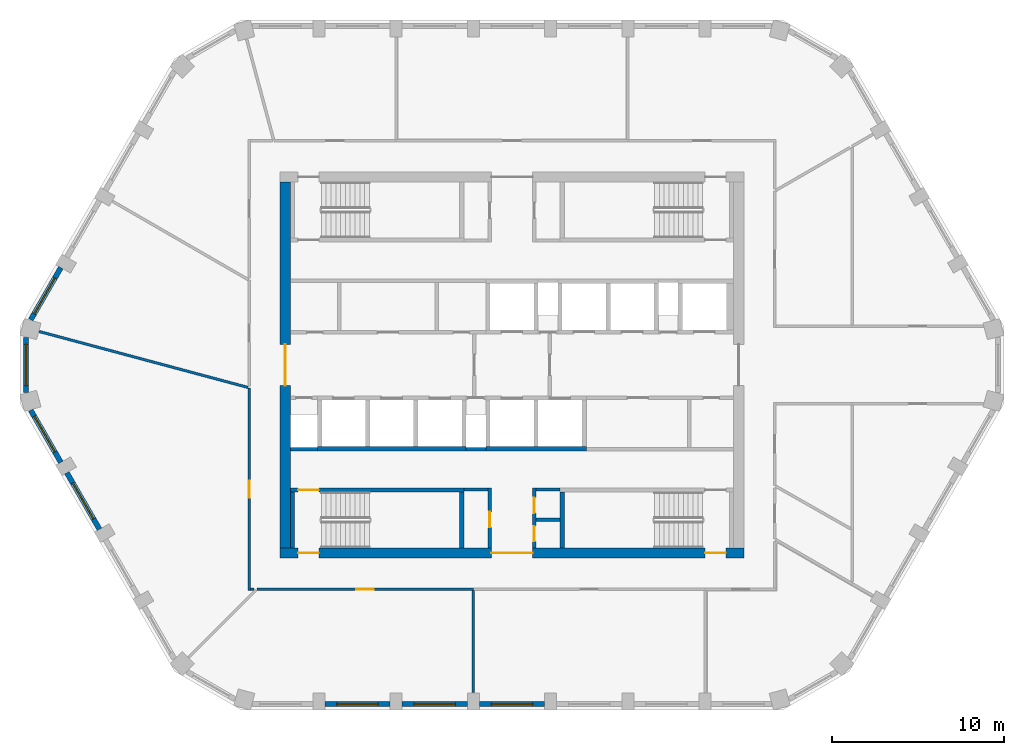
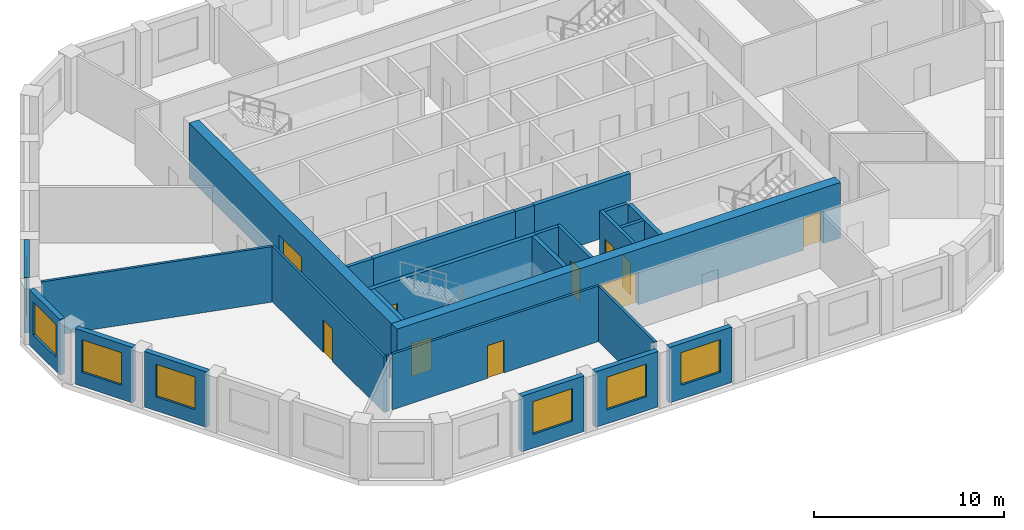
# One storey, part 2 of 10: 27 walls, 10 doors, 7 windows, 17 openings.
"""IFC4 building model written with IfcOpenShell, lengths in metres."""

from ifc_helpers import new_model, si_unit, direction, frame, frame_2d, origin, place, context, subcontext, project, spatial, polyline, rectangle, outline, extrude, material, layer, layer_set, type_object, element, fill, save


model = new_model("IFC4")

# Units and contexts
model_context = context("Model", 3, precision=1e-05, world=origin(), true_north=direction((0.0, 1.0)))
body_context = subcontext(model_context, "Body", "Model", "MODEL_VIEW")
ifc_project = project(units=[si_unit("LENGTHUNIT", "METRE"), si_unit("AREAUNIT", "SQUARE_METRE"), si_unit("VOLUMEUNIT", "CUBIC_METRE"), si_unit("PLANEANGLEUNIT", "RADIAN"), si_unit("MASSUNIT", "GRAM", prefix="KILO")], contexts=[model_context])

# Site, building, storey
site_placement = place(None, origin())
site = spatial("IfcSite", under=ifc_project, at=site_placement, CompositionType="ELEMENT")
building_placement = place(site_placement, origin())
building = spatial("IfcBuilding", under=site, at=building_placement, Name="Dhurran Vertical Campus", CompositionType="ELEMENT")
storey_placement = place(building_placement, frame((0.0, 0.0, 254.699951171875)))
storey = spatial("IfcBuildingStorey", under=building, at=storey_placement, Name="L63", CompositionType="ELEMENT", Elevation=254.699951171875)

# Wall, opening, window
ifc_material_1 = material(Name="Precast concrete C50/60", Category="concrete")
ifc_layer_1 = layer(ifc_material_1, 0.300048828125)
ifc_layer_set_1 = layer_set([ifc_layer_1], Name="Precast concrete C50/60")
wall_type_1 = type_object("IfcWallType", Name="Precast spandrel wall 300", PredefinedType="SOLIDWALL", material=ifc_layer_set_1)
wall_1_placement = place(storey_placement, frame((-10.8994140625, -19.738525390625, 0.0), z_axis=(0.0, 0.0, 1.0), x_axis=(1.0, 0.0, 0.0)))
wall_1 = element("IfcWall", 1, at=wall_1_placement, inside=storey, type_object=wall_type_1, Name="EW1 L63.01", PredefinedType="SOLIDWALL", context=body_context, shape_type="SweptSolid", body=[
    extrude(rectangle(XDim=3.798828125, YDim=0.300048828125, at=frame_2d((1.8994140625, 0.0))), origin(), (0.0, 0.0, 1.0), 3.574951171875),
])
opening_1_placement = place(wall_1_placement, frame((0.699462890625, 0.0, 0.89990234375)))
opening_1 = element("IfcOpeningElement", 2, at=opening_1_placement, cuts=wall_1, Name="Opening WT1", PredefinedType="OPENING", context=body_context, shape_type="SweptSolid", body=[
    extrude(rectangle(XDim=2.39990234375, YDim=2.10009765625, at=frame_2d((1.199951171875, 1.050048828125))), frame((0.0, 0.159912109375, 0.0), z_axis=(0.0, -1.0, 0.0), x_axis=(1.0, 0.0, 0.0)), (0.0, 0.0, 1.0), 0.320068359375),
])
ifc_material_2 = material(Name="Aluminium frame with solar-control glass", Category="aluminium")
window_type = type_object("IfcWindowType", Name="Punched window 2400 x 2100", PartitioningType="SINGLE_PANEL", PredefinedType="WINDOW", material=ifc_material_2)
window_1_placement = place(opening_1_placement, origin())
window_1 = element("IfcWindow", 3, at=window_1_placement, inside=storey, type_object=window_type, Name="WT1 L63.01", OverallHeight=2.10009765625, OverallWidth=2.39990234375, PartitioningType="SINGLE_PANEL", PredefinedType="WINDOW", context=body_context, shape_type="SweptSolid", body=[
    extrude(rectangle(XDim=2.39990234375, YDim=2.10009765625, at=frame_2d((1.199951171875, 1.050048828125))), frame((0.0, 0.030029296875, 0.0), z_axis=(0.0, -1.0, 0.0), x_axis=(1.0, 0.0, 0.0)), (0.0, 0.0, 1.0), 0.06005859375),
])
fill(opening_1, window_1)

wall_2_placement = place(storey_placement, frame((-6.3994140625, -19.738525390625, 0.0), z_axis=(0.0, 0.0, 1.0), x_axis=(1.0, 0.0, 0.0)))
wall_2 = element("IfcWall", 4, at=wall_2_placement, inside=storey, type_object=wall_type_1, Name="EW1 L63.02", PredefinedType="SOLIDWALL", context=body_context, shape_type="SweptSolid", body=[
    extrude(rectangle(XDim=3.798828125, YDim=0.300048828125, at=frame_2d((1.8994140625, 0.0))), origin(), (0.0, 0.0, 1.0), 3.574951171875),
])
opening_2_placement = place(wall_2_placement, frame((0.699462890625, 0.0, 0.89990234375)))
opening_2 = element("IfcOpeningElement", 5, at=opening_2_placement, cuts=wall_2, Name="Opening WT1", PredefinedType="OPENING", context=body_context, shape_type="SweptSolid", body=[
    extrude(rectangle(XDim=2.39990234375, YDim=2.10009765625, at=frame_2d((1.199951171875, 1.050048828125))), frame((0.0, 0.159912109375, 0.0), z_axis=(0.0, -1.0, 0.0), x_axis=(1.0, 0.0, 0.0)), (0.0, 0.0, 1.0), 0.320068359375),
])
window_2_placement = place(opening_2_placement, origin())
window_2 = element("IfcWindow", 6, at=window_2_placement, inside=storey, type_object=window_type, Name="WT1 L63.02", OverallHeight=2.10009765625, OverallWidth=2.39990234375, PartitioningType="SINGLE_PANEL", PredefinedType="WINDOW", context=body_context, shape_type="SweptSolid", body=[
    extrude(rectangle(XDim=2.39990234375, YDim=2.10009765625, at=frame_2d((1.199951171875, 1.050048828125))), frame((0.0, 0.030029296875, 0.0), z_axis=(0.0, -1.0, 0.0), x_axis=(1.0, 0.0, 0.0)), (0.0, 0.0, 1.0), 0.06005859375),
])
fill(opening_2, window_2)

wall_3_placement = place(storey_placement, frame((-1.8994140625, -19.738525390625, 0.0), z_axis=(0.0, 0.0, 1.0), x_axis=(1.0, 0.0, 0.0)))
wall_3 = element("IfcWall", 7, at=wall_3_placement, inside=storey, type_object=wall_type_1, Name="EW1 L63.03", PredefinedType="SOLIDWALL", context=body_context, shape_type="SweptSolid", body=[
    extrude(rectangle(XDim=3.798828125, YDim=0.300048828125, at=frame_2d((1.8994140625, 0.0))), origin(), (0.0, 0.0, 1.0), 3.574951171875),
])
opening_3_placement = place(wall_3_placement, frame((0.699462890625, 0.0, 0.89990234375)))
opening_3 = element("IfcOpeningElement", 8, at=opening_3_placement, cuts=wall_3, Name="Opening WT1", PredefinedType="OPENING", context=body_context, shape_type="SweptSolid", body=[
    extrude(rectangle(XDim=2.39990234375, YDim=2.10009765625, at=frame_2d((1.199951171875, 1.050048828125))), frame((0.0, 0.159912109375, 0.0), z_axis=(0.0, -1.0, 0.0), x_axis=(1.0, 0.0, 0.0)), (0.0, 0.0, 1.0), 0.320068359375),
])
window_3_placement = place(opening_3_placement, origin())
window_3 = element("IfcWindow", 9, at=window_3_placement, inside=storey, type_object=window_type, Name="WT1 L63.03", OverallHeight=2.10009765625, OverallWidth=2.39990234375, PartitioningType="SINGLE_PANEL", PredefinedType="WINDOW", context=body_context, shape_type="SweptSolid", body=[
    extrude(rectangle(XDim=2.39990234375, YDim=2.10009765625, at=frame_2d((1.199951171875, 1.050048828125))), frame((0.0, 0.030029296875, 0.0), z_axis=(0.0, -1.0, 0.0), x_axis=(1.0, 0.0, 0.0)), (0.0, 0.0, 1.0), 0.06005859375),
])
fill(opening_3, window_3)

wall_4_placement = place(storey_placement, frame((-26.269287109375, 5.668701171875, 0.0), z_axis=(0.0, 0.0, 1.0), x_axis=(-0.499990325971, -0.866030989016, 0.0)))
wall_4 = element("IfcWall", 10, at=wall_4_placement, inside=storey, type_object=wall_type_1, Name="EW1 L63.29", PredefinedType="SOLIDWALL", context=body_context, shape_type="SweptSolid", body=[
    extrude(rectangle(XDim=3.49755859375, YDim=0.300048828125, at=frame_2d((1.748779296875, 0.0))), origin(), (0.0, 0.0, 1.0), 3.574951171875),
])
opening_4_placement = place(wall_4_placement, frame((0.699462890625, 0.0, 0.89990234375)))
opening_4 = element("IfcOpeningElement", 11, at=opening_4_placement, cuts=wall_4, Name="Opening WT1", PredefinedType="OPENING", context=body_context, shape_type="SweptSolid", body=[
    extrude(rectangle(XDim=2.39990234375, YDim=2.10009765625, at=frame_2d((1.199951171875, 1.050048828125))), frame((0.0, 0.159912109375, 0.0), z_axis=(0.0, -1.0, 0.0), x_axis=(1.0, 0.0, 0.0)), (0.0, 0.0, 1.0), 0.320068359375),
])
window_4_placement = place(opening_4_placement, origin())
window_4 = element("IfcWindow", 12, at=window_4_placement, inside=storey, type_object=window_type, Name="WT1 L63.29", OverallHeight=2.10009765625, OverallWidth=2.39990234375, PartitioningType="SINGLE_PANEL", PredefinedType="WINDOW", context=body_context, shape_type="SweptSolid", body=[
    extrude(rectangle(XDim=2.39990234375, YDim=2.10009765625, at=frame_2d((1.199951171875, 1.050048828125))), frame((0.0, 0.030029296875, 0.0), z_axis=(0.0, -1.0, 0.0), x_axis=(1.0, 0.0, 0.0)), (0.0, 0.0, 1.0), 0.06005859375),
])
fill(opening_4, window_4)

wall_5_placement = place(storey_placement, frame((-28.297119140625, 1.59814453125, 0.0), z_axis=(0.0, 0.0, 1.0), x_axis=(0.0, -1.0, 0.0)))
wall_5 = element("IfcWall", 13, at=wall_5_placement, inside=storey, type_object=wall_type_1, Name="EW1 L63.30", PredefinedType="SOLIDWALL", context=body_context, shape_type="SweptSolid", body=[
    extrude(rectangle(XDim=3.1962890625, YDim=0.300048828125, at=frame_2d((1.59814453125, 0.0))), origin(), (0.0, 0.0, 1.0), 3.574951171875),
])
opening_5_placement = place(wall_5_placement, frame((0.398193359375, 0.0, 0.89990234375)))
opening_5 = element("IfcOpeningElement", 14, at=opening_5_placement, cuts=wall_5, Name="Opening WT1", PredefinedType="OPENING", context=body_context, shape_type="SweptSolid", body=[
    extrude(rectangle(XDim=2.39990234375, YDim=2.10009765625, at=frame_2d((1.199951171875, 1.050048828125))), frame((0.0, 0.159912109375, 0.0), z_axis=(0.0, -1.0, 0.0), x_axis=(1.0, 0.0, 0.0)), (0.0, 0.0, 1.0), 0.320068359375),
])
window_5_placement = place(opening_5_placement, origin())
window_5 = element("IfcWindow", 15, at=window_5_placement, inside=storey, type_object=window_type, Name="WT1 L63.30", OverallHeight=2.10009765625, OverallWidth=2.39990234375, PartitioningType="SINGLE_PANEL", PredefinedType="WINDOW", context=body_context, shape_type="SweptSolid", body=[
    extrude(rectangle(XDim=2.39990234375, YDim=2.10009765625, at=frame_2d((1.199951171875, 1.050048828125))), frame((0.0, 0.030029296875, 0.0), z_axis=(0.0, -1.0, 0.0), x_axis=(1.0, 0.0, 0.0)), (0.0, 0.0, 1.0), 0.06005859375),
])
fill(opening_5, window_5)

wall_6_placement = place(storey_placement, frame((-28.01806640625, -2.6396484375, 0.0), z_axis=(0.0, 0.0, 1.0), x_axis=(0.499990325971, -0.866030989016, 0.0)))
wall_6 = element("IfcWall", 16, at=wall_6_placement, inside=storey, type_object=wall_type_1, Name="EW1 L63.31", PredefinedType="SOLIDWALL", context=body_context, shape_type="SweptSolid", body=[
    extrude(rectangle(XDim=3.49755859375, YDim=0.300048828125, at=frame_2d((1.748779296875, 0.0))), origin(), (0.0, 0.0, 1.0), 3.574951171875),
])
opening_6_placement = place(wall_6_placement, frame((0.398193359375, 0.0, 0.89990234375)))
opening_6 = element("IfcOpeningElement", 17, at=opening_6_placement, cuts=wall_6, Name="Opening WT1", PredefinedType="OPENING", context=body_context, shape_type="SweptSolid", body=[
    extrude(rectangle(XDim=2.39990234375, YDim=2.10009765625, at=frame_2d((1.199951171875, 1.050048828125))), frame((0.0, 0.159912109375, 0.0), z_axis=(0.0, -1.0, 0.0), x_axis=(1.0, 0.0, 0.0)), (0.0, 0.0, 1.0), 0.320068359375),
])
window_6_placement = place(opening_6_placement, origin())
window_6 = element("IfcWindow", 18, at=window_6_placement, inside=storey, type_object=window_type, Name="WT1 L63.31", OverallHeight=2.10009765625, OverallWidth=2.39990234375, PartitioningType="SINGLE_PANEL", PredefinedType="WINDOW", context=body_context, shape_type="SweptSolid", body=[
    extrude(rectangle(XDim=2.39990234375, YDim=2.10009765625, at=frame_2d((1.199951171875, 1.050048828125))), frame((0.0, 0.030029296875, 0.0), z_axis=(0.0, -1.0, 0.0), x_axis=(1.0, 0.0, 0.0)), (0.0, 0.0, 1.0), 0.06005859375),
])
fill(opening_6, window_6)

wall_7_placement = place(storey_placement, frame((-25.918701171875, -6.275634765625, 0.0), z_axis=(0.0, 0.0, 1.0), x_axis=(0.499982058975, -0.866035761792, 0.0)))
wall_7 = element("IfcWall", 19, at=wall_7_placement, inside=storey, type_object=wall_type_1, Name="EW1 L63.32", PredefinedType="SOLIDWALL", context=body_context, shape_type="SweptSolid", body=[
    extrude(rectangle(XDim=3.799072265625, YDim=0.300048828125, at=frame_2d((1.8994140625, 0.0))), origin(), (0.0, 0.0, 1.0), 3.574951171875),
])
opening_7_placement = place(wall_7_placement, frame((0.699462890625, 0.0, 0.89990234375)))
opening_7 = element("IfcOpeningElement", 20, at=opening_7_placement, cuts=wall_7, Name="Opening WT1", PredefinedType="OPENING", context=body_context, shape_type="SweptSolid", body=[
    extrude(rectangle(XDim=2.39990234375, YDim=2.10009765625, at=frame_2d((1.199951171875, 1.050048828125))), frame((0.0, 0.159912109375, 0.0), z_axis=(0.0, -1.0, 0.0), x_axis=(1.0, 0.0, 0.0)), (0.0, 0.0, 1.0), 0.320068359375),
])
window_7_placement = place(opening_7_placement, origin())
window_7 = element("IfcWindow", 21, at=window_7_placement, inside=storey, type_object=window_type, Name="WT1 L63.32", OverallHeight=2.10009765625, OverallWidth=2.39990234375, PartitioningType="SINGLE_PANEL", PredefinedType="WINDOW", context=body_context, shape_type="SweptSolid", body=[
    extrude(rectangle(XDim=2.39990234375, YDim=2.10009765625, at=frame_2d((1.199951171875, 1.050048828125))), frame((0.0, 0.030029296875, 0.0), z_axis=(0.0, -1.0, 0.0), x_axis=(1.0, 0.0, 0.0)), (0.0, 0.0, 1.0), 0.06005859375),
])
fill(opening_7, window_7)

# Wall, openings, doors
ifc_material_3 = material(Name="Concrete C50/60", Category="concrete")
ifc_layer_2 = layer(ifc_material_3, 0.60009765625)
ifc_layer_set_2 = layer_set([ifc_layer_2], Name="Concrete C50/60")
wall_type_2 = type_object("IfcWallType", Name="co-CORE-WALL-C2-600", PredefinedType="SHEAR", material=ifc_layer_set_2)
wall_8_placement = place(storey_placement, frame((-13.5, -10.949951171875, 0.0), z_axis=(0.0, 0.0, 1.0), x_axis=(1.0, 0.0, 0.0)))
wall_8 = element("IfcWall", 22, at=wall_8_placement, inside=storey, type_object=wall_type_2, Name="Core wall S L63", PredefinedType="SHEAR", context=body_context, shape_type="SweptSolid", body=[
    extrude(rectangle(XDim=27.0, YDim=0.60009765625, at=frame_2d((13.5, 0.0))), origin(), (0.0, 0.0, 1.0), 3.574951171875),
])
opening_8_placement = place(wall_8_placement, frame((12.300048828125, 0.0, 0.0)))
opening_8 = element("IfcOpeningElement", 23, at=opening_8_placement, cuts=wall_8, Name="Opening CV2", PredefinedType="OPENING", context=body_context, shape_type="SweptSolid", body=[
    extrude(rectangle(XDim=2.39990234375, YDim=2.10009765625, at=frame_2d((1.199951171875, 1.050048828125))), frame((0.0, 0.31005859375, 0.0), z_axis=(0.0, -1.0, 0.0), x_axis=(1.0, 0.0, 0.0)), (0.0, 0.0, 1.0), 0.6201171875),
])
opening_9_placement = place(wall_8_placement, frame((1.050048828125, 0.0, 0.0)))
opening_9 = element("IfcOpeningElement", 24, at=opening_9_placement, cuts=wall_8, Name="Opening XD3", PredefinedType="OPENING", context=body_context, shape_type="SweptSolid", body=[
    extrude(rectangle(XDim=1.199951171875, YDim=2.10009765625, at=frame_2d((0.60009765625, 1.050048828125))), frame((0.0, 0.31005859375, 0.0), z_axis=(0.0, -1.0, 0.0), x_axis=(1.0, 0.0, 0.0)), (0.0, 0.0, 1.0), 0.6201171875),
])
opening_10_placement = place(wall_8_placement, frame((24.75, 0.0, 0.0)))
opening_10 = element("IfcOpeningElement", 25, at=opening_10_placement, cuts=wall_8, Name="Opening XD4", PredefinedType="OPENING", context=body_context, shape_type="SweptSolid", body=[
    extrude(rectangle(XDim=1.199951171875, YDim=2.10009765625, at=frame_2d((0.60009765625, 1.050048828125))), frame((0.0, 0.31005859375, 0.0), z_axis=(0.0, -1.0, 0.0), x_axis=(1.0, 0.0, 0.0)), (0.0, 0.0, 1.0), 0.6201171875),
])
ifc_material_4 = material(Name="Fire-rated glazed door set")
door_type_1 = type_object("IfcDoorType", Name="co-D-LOBBY 2400x2100", OperationType="DOUBLE_DOOR_DOUBLE_SWING", PredefinedType="DOOR", material=ifc_material_4)
door_1_placement = place(opening_8_placement, origin())
door_1 = element("IfcDoor", 26, at=door_1_placement, inside=storey, type_object=door_type_1, Name="Core vestibule door S L63", OperationType="DOUBLE_DOOR_DOUBLE_SWING", OverallHeight=2.10009765625, OverallWidth=2.39990234375, PredefinedType="DOOR", context=body_context, shape_type="SweptSolid", body=[
    extrude(rectangle(XDim=2.39990234375, YDim=2.10009765625, at=frame_2d((1.199951171875, 1.050048828125))), frame((0.0, 0.02490234375, 0.0), z_axis=(0.0, -1.0, 0.0), x_axis=(1.0, 0.0, 0.0)), (0.0, 0.0, 1.0), 0.050048828125),
])
fill(opening_8, door_1)
ifc_material_5 = material(Name="Fire-rated steel door set", Category="steel")
door_type_2 = type_object("IfcDoorType", Name="co-D-STAIR-EXIT 1200x2100", OperationType="SINGLE_SWING_RIGHT", PredefinedType="DOOR", material=ifc_material_5)
door_2_placement = place(opening_9_placement, origin())
door_2 = element("IfcDoor", 27, at=door_2_placement, inside=storey, type_object=door_type_2, Name="Stair ST3 exit door L63", OperationType="SINGLE_SWING_RIGHT", OverallHeight=2.10009765625, OverallWidth=1.199951171875, PredefinedType="DOOR", context=body_context, shape_type="SweptSolid", body=[
    extrude(rectangle(XDim=1.199951171875, YDim=2.10009765625, at=frame_2d((0.60009765625, 1.050048828125))), frame((0.0, 0.02490234375, 0.0), z_axis=(0.0, -1.0, 0.0), x_axis=(1.0, 0.0, 0.0)), (0.0, 0.0, 1.0), 0.050048828125),
])
fill(opening_9, door_2)
door_3_placement = place(opening_10_placement, origin())
door_3 = element("IfcDoor", 28, at=door_3_placement, inside=storey, type_object=door_type_2, Name="Stair ST4 exit door L63", OperationType="SINGLE_SWING_RIGHT", OverallHeight=2.10009765625, OverallWidth=1.199951171875, PredefinedType="DOOR", context=body_context, shape_type="SweptSolid", body=[
    extrude(rectangle(XDim=1.199951171875, YDim=2.10009765625, at=frame_2d((0.60009765625, 1.050048828125))), frame((0.0, 0.02490234375, 0.0), z_axis=(0.0, -1.0, 0.0), x_axis=(1.0, 0.0, 0.0)), (0.0, 0.0, 1.0), 0.050048828125),
])
fill(opening_10, door_3)

# Wall, opening, door
wall_9_placement = place(storey_placement, frame((-13.199951171875, -10.64990234375, 0.0), z_axis=(0.0, 0.0, 1.0), x_axis=(0.0, 1.0, 0.0)))
wall_9 = element("IfcWall", 29, at=wall_9_placement, inside=storey, type_object=wall_type_2, Name="Core wall W L63", PredefinedType="SHEAR", context=body_context, shape_type="SweptSolid", body=[
    extrude(rectangle(XDim=21.2998046875, YDim=0.60009765625, at=frame_2d((10.64990234375, 0.0))), origin(), (0.0, 0.0, 1.0), 3.574951171875),
])
opening_11_placement = place(wall_9_placement, frame((9.449951171875, 0.0, 0.0)))
opening_11 = element("IfcOpeningElement", 30, at=opening_11_placement, cuts=wall_9, Name="Opening CL1", PredefinedType="OPENING", context=body_context, shape_type="SweptSolid", body=[
    extrude(rectangle(XDim=2.39990234375, YDim=2.10009765625, at=frame_2d((1.199951171875, 1.050048828125))), frame((0.0, 0.31005859375, 0.0), z_axis=(0.0, -1.0, 0.0), x_axis=(1.0, 0.0, 0.0)), (0.0, 0.0, 1.0), 0.6201171875),
])
door_4_placement = place(opening_11_placement, origin())
door_4 = element("IfcDoor", 31, at=door_4_placement, inside=storey, type_object=door_type_1, Name="Lift lobby door W L63", OperationType="DOUBLE_DOOR_DOUBLE_SWING", OverallHeight=2.10009765625, OverallWidth=2.39990234375, PredefinedType="DOOR", context=body_context, shape_type="SweptSolid", body=[
    extrude(rectangle(XDim=2.39990234375, YDim=2.10009765625, at=frame_2d((1.199951171875, 1.050048828125))), frame((0.0, 0.02490234375, 0.0), z_axis=(0.0, -1.0, 0.0), x_axis=(1.0, 0.0, 0.0)), (0.0, 0.0, 1.0), 0.050048828125),
])
fill(opening_11, door_4)

# Walls
ifc_material_6 = material(Name="Fire-rated masonry blockwork", Category="masonry")
ifc_layer_3 = layer(ifc_material_6, 0.199951171875)
ifc_layer_set_3 = layer_set([ifc_layer_3], Name="Fire-rated masonry blockwork")
wall_type_3 = type_object("IfcWallType", Name="co-FIRE-PARTITION-200", PredefinedType="PARTITIONING", material=ifc_layer_set_3)
for number, where, z_axis, x_axis, name in (
    (32, (-2.800048828125, -7.25, 0.0), (0.0, 0.0, 1.0), (1.0, 0.0, 0.0), "Core partition sl-SW-S L63"),
    (33, (1.39990234375, -7.25, 0.0), (0.0, 0.0, 1.0), (1.0, 0.0, 0.0), "Core partition sl-SE-S L63"),
    (34, (1.39990234375, -9.0, 0.0), (0.0, 0.0, 1.0), (1.0, 0.0, 0.0), "Core partition sl-SE-cut0 L63"),
):
    element("IfcWall", number, at=place(storey_placement, frame(where, z_axis=z_axis, x_axis=x_axis)), inside=storey, type_object=wall_type_3, Name=name, PredefinedType="PARTITIONING", context=body_context, shape_type="SweptSolid", body=[
        extrude(rectangle(XDim=1.400146484375, YDim=0.199951171875, at=frame_2d((0.7001953125, 0.0))), origin(), (0.0, 0.0, 1.0), 3.574951171875),
    ])

# Wall, opening, door
wall_10_placement = place(storey_placement, frame((-1.300048828125, -10.64990234375, 0.0), z_axis=(0.0, 0.0, 1.0), x_axis=(0.0, 1.0, 0.0)))
wall_10 = element("IfcWall", 35, at=wall_10_placement, inside=storey, type_object=wall_type_3, Name="Core partition vest-SW L63", PredefinedType="PARTITIONING", context=body_context, shape_type="SweptSolid", body=[
    extrude(rectangle(XDim=3.5, YDim=0.199951171875, at=frame_2d((1.75, 0.0))), origin(), (0.0, 0.0, 1.0), 3.574951171875),
])
opening_12_placement = place(wall_10_placement, frame((1.199951171875, 0.0, 0.0)))
opening_12 = element("IfcOpeningElement", 36, at=opening_12_placement, cuts=wall_10, Name="Opening T18-C1", PredefinedType="OPENING", context=body_context, shape_type="SweptSolid", body=[
    extrude(rectangle(XDim=0.89990234375, YDim=2.10009765625, at=frame_2d((0.449951171875, 1.050048828125))), frame((0.0, 0.10986328125, 0.0), z_axis=(0.0, -1.0, 0.0), x_axis=(1.0, 0.0, 0.0)), (0.0, 0.0, 1.0), 0.219970703125),
])
ifc_material_7 = material(Name="Fire-rated timber door set", Category="wood")
door_type_3 = type_object("IfcDoorType", Name="co-D-ROOM 900x2100", OperationType="SINGLE_SWING_LEFT", PredefinedType="DOOR", material=ifc_material_7)
door_5_placement = place(opening_12_placement, origin())
door_5 = element("IfcDoor", 37, at=door_5_placement, inside=storey, type_object=door_type_3, Name="Fire equipment store door L63", OperationType="SINGLE_SWING_LEFT", OverallHeight=2.10009765625, OverallWidth=0.89990234375, PredefinedType="DOOR", context=body_context, shape_type="SweptSolid", body=[
    extrude(rectangle(XDim=0.89990234375, YDim=2.10009765625, at=frame_2d((0.449951171875, 1.050048828125))), frame((0.0, 0.02490234375, 0.0), z_axis=(0.0, -1.0, 0.0), x_axis=(1.0, 0.0, 0.0)), (0.0, 0.0, 1.0), 0.050048828125),
])
fill(opening_12, door_5)

# Wall, openings, doors
wall_11_placement = place(storey_placement, frame((1.300048828125, -10.64990234375, 0.0), z_axis=(0.0, 0.0, 1.0), x_axis=(0.0, 1.0, 0.0)))
wall_11 = element("IfcWall", 38, at=wall_11_placement, inside=storey, type_object=wall_type_3, Name="Core partition vest-SE L63", PredefinedType="PARTITIONING", context=body_context, shape_type="SweptSolid", body=[
    extrude(rectangle(XDim=3.5, YDim=0.199951171875, at=frame_2d((1.75, 0.0))), origin(), (0.0, 0.0, 1.0), 3.574951171875),
])
opening_13_placement = place(wall_11_placement, frame((0.375, 0.0, 0.0)))
opening_13 = element("IfcOpeningElement", 39, at=opening_13_placement, cuts=wall_11, Name="Opening T18-C2", PredefinedType="OPENING", context=body_context, shape_type="SweptSolid", body=[
    extrude(rectangle(XDim=0.89990234375, YDim=2.10009765625, at=frame_2d((0.449951171875, 1.050048828125))), frame((0.0, 0.10986328125, 0.0), z_axis=(0.0, -1.0, 0.0), x_axis=(1.0, 0.0, 0.0)), (0.0, 0.0, 1.0), 0.219970703125),
])
opening_14_placement = place(wall_11_placement, frame((2.02490234375, 0.0, 0.0)))
opening_14 = element("IfcOpeningElement", 40, at=opening_14_placement, cuts=wall_11, Name="Opening T18-C3", PredefinedType="OPENING", context=body_context, shape_type="SweptSolid", body=[
    extrude(rectangle(XDim=0.89990234375, YDim=2.10009765625, at=frame_2d((0.449951171875, 1.050048828125))), frame((0.0, 0.10986328125, 0.0), z_axis=(0.0, -1.0, 0.0), x_axis=(1.0, 0.0, 0.0)), (0.0, 0.0, 1.0), 0.219970703125),
])
door_6_placement = place(opening_13_placement, origin())
door_6 = element("IfcDoor", 41, at=door_6_placement, inside=storey, type_object=door_type_3, Name="Waste room door L63", OperationType="SINGLE_SWING_LEFT", OverallHeight=2.10009765625, OverallWidth=0.89990234375, PredefinedType="DOOR", context=body_context, shape_type="SweptSolid", body=[
    extrude(rectangle(XDim=0.89990234375, YDim=2.10009765625, at=frame_2d((0.449951171875, 1.050048828125))), frame((0.0, 0.02490234375, 0.0), z_axis=(0.0, -1.0, 0.0), x_axis=(1.0, 0.0, 0.0)), (0.0, 0.0, 1.0), 0.050048828125),
])
fill(opening_13, door_6)
door_7_placement = place(opening_14_placement, origin())
door_7 = element("IfcDoor", 42, at=door_7_placement, inside=storey, type_object=door_type_3, Name="Store door L63", OperationType="SINGLE_SWING_LEFT", OverallHeight=2.10009765625, OverallWidth=0.89990234375, PredefinedType="DOOR", context=body_context, shape_type="SweptSolid", body=[
    extrude(rectangle(XDim=0.89990234375, YDim=2.10009765625, at=frame_2d((0.449951171875, 1.050048828125))), frame((0.0, 0.02490234375, 0.0), z_axis=(0.0, -1.0, 0.0), x_axis=(1.0, 0.0, 0.0)), (0.0, 0.0, 1.0), 0.050048828125),
])
fill(opening_14, door_7)

# Walls
wall_12_placement = place(storey_placement, frame((-12.89990234375, -4.89990234375, 0.0), z_axis=(0.0, 0.0, 1.0), x_axis=(1.0, 0.0, 0.0)))
element("IfcWall", 43, at=wall_12_placement, inside=storey, type_object=wall_type_3, Name="Core partition fr-S0-b L63", PredefinedType="PARTITIONING", context=body_context, shape_type="SweptSolid", body=[
    extrude(rectangle(XDim=1.574951171875, YDim=0.199951171875, at=frame_2d((0.78759765625, 0.0))), origin(), (0.0, 0.0, 1.0), 3.574951171875),
])
wall_13_placement = place(storey_placement, frame((-2.675048828125, -4.89990234375, 0.0), z_axis=(0.0, 0.0, 1.0), x_axis=(1.0, 0.0, 0.0)))
element("IfcWall", 44, at=wall_13_placement, inside=storey, type_object=wall_type_3, Name="Core partition fr-S1-b L63", PredefinedType="PARTITIONING", context=body_context, shape_type="SweptSolid", body=[
    extrude(rectangle(XDim=1.150146484375, YDim=0.199951171875, at=frame_2d((0.5751953125, 0.0))), origin(), (0.0, 0.0, 1.0), 3.574951171875),
])
ifc_material_8 = material(Name="Concrete C50/60", Category="concrete")
ifc_layer_4 = layer(ifc_material_8, 0.25)
ifc_layer_set_4 = layer_set([ifc_layer_4], Name="Concrete C50/60")
wall_type_4 = type_object("IfcWallType", Name="co-SHAFT-MASS-250", PredefinedType="SHEAR", material=ifc_layer_set_4)
wall_14_placement = place(storey_placement, origin())
element("IfcWall", 45, at=wall_14_placement, inside=storey, type_object=wall_type_4, Name="Lift shaft wall S L63 1", PredefinedType="SHEAR", context=body_context, shape_type="SweptSolid", body=[
    extrude(outline(polyline([(-11.324951171875, -5.0), (-2.675048828125, -5.0), (-2.675048828125, -4.75), (-11.324951171875, -4.75), (-11.324951171875, -5.0)])), origin(), (0.0, 0.0, 1.0), 3.574951171875),
])
wall_15_placement = place(storey_placement, origin())
element("IfcWall", 46, at=wall_15_placement, inside=storey, type_object=wall_type_4, Name="Lift shaft wall S L63 2", PredefinedType="SHEAR", context=body_context, shape_type="SweptSolid", body=[
    extrude(outline(polyline([(-1.52490234375, -5.0), (4.324951171875, -5.0), (4.324951171875, -4.75), (-1.52490234375, -4.75), (-1.52490234375, -5.0)])), origin(), (0.0, 0.0, 1.0), 3.574951171875),
])

# Wall, opening, door
ifc_material_9 = material(Name="Concrete C40/50", Category="concrete")
ifc_layer_5 = layer(ifc_material_9, 0.25)
ifc_layer_set_5 = layer_set([ifc_layer_5], Name="Concrete C40/50")
wall_type_5 = type_object("IfcWallType", Name="co-STAIR-WALL-250", PredefinedType="SHEAR", material=ifc_layer_set_5)
wall_16_placement = place(storey_placement, frame((-12.89990234375, -7.27490234375, 0.0), z_axis=(0.0, 0.0, 1.0), x_axis=(1.0, 0.0, 0.0)))
wall_16 = element("IfcWall", 47, at=wall_16_placement, inside=storey, type_object=wall_type_5, Name="Stair ST3 enclosure wall L63", PredefinedType="SHEAR", context=body_context, shape_type="SweptSolid", body=[
    extrude(rectangle(XDim=10.099853515625, YDim=0.25, at=frame_2d((5.0498046875, 0.0))), origin(), (0.0, 0.0, 1.0), 3.574951171875),
])
opening_15_placement = place(wall_16_placement, frame((0.449951171875, 0.0, 0.0)))
opening_15 = element("IfcOpeningElement", 48, at=opening_15_placement, cuts=wall_16, Name="Opening SD3", PredefinedType="OPENING", context=body_context, shape_type="SweptSolid", body=[
    extrude(rectangle(XDim=1.199951171875, YDim=2.10009765625, at=frame_2d((0.60009765625, 1.050048828125))), frame((0.0, 0.135009765625, 0.0), z_axis=(0.0, -1.0, 0.0), x_axis=(1.0, 0.0, 0.0)), (0.0, 0.0, 1.0), 0.27001953125),
])
ifc_material_10 = material(Name="Fire-rated steel door set", Category="steel")
door_type_4 = type_object("IfcDoorType", Name="co-D-STAIR 1200x2100", OperationType="SINGLE_SWING_LEFT", PredefinedType="DOOR", material=ifc_material_10)
door_8_placement = place(opening_15_placement, origin())
door_8 = element("IfcDoor", 49, at=door_8_placement, inside=storey, type_object=door_type_4, Name="Stair ST3 door L63", OperationType="SINGLE_SWING_LEFT", OverallHeight=2.10009765625, OverallWidth=1.199951171875, PredefinedType="DOOR", context=body_context, shape_type="SweptSolid", body=[
    extrude(rectangle(XDim=1.199951171875, YDim=2.10009765625, at=frame_2d((0.60009765625, 1.050048828125))), frame((0.0, 0.02490234375, 0.0), z_axis=(0.0, -1.0, 0.0), x_axis=(1.0, 0.0, 0.0)), (0.0, 0.0, 1.0), 0.050048828125),
])
fill(opening_15, door_8)

# Walls
for number, where, z_axis, x_axis, name in (
    (50, (-12.77490234375, -10.64990234375, 0.0), (0.0, 0.0, 1.0), (0.0, 1.0, 0.0), "Stair ST3 enclosure wall L63"),
    (51, (-2.925048828125, -10.64990234375, 0.0), (0.0, 0.0, 1.0), (0.0, 1.0, 0.0), "Stair ST3 enclosure wall L63"),
    (52, (2.925048828125, -10.64990234375, 0.0), (0.0, 0.0, 1.0), (0.0, 1.0, 0.0), "Stair ST4 enclosure wall L63"),
):
    element("IfcWall", number, at=place(storey_placement, frame(where, z_axis=z_axis, x_axis=x_axis)), inside=storey, type_object=wall_type_5, Name=name, PredefinedType="SHEAR", context=body_context, shape_type="SweptSolid", body=[
        extrude(rectangle(XDim=3.25, YDim=0.25, at=frame_2d((1.625, 0.0))), origin(), (0.0, 0.0, 1.0), 3.574951171875),
    ])

# Wall, opening, door
ifc_material_11 = material(Name="Gypsum board corridor wall on steel studs", Category="steel")
ifc_layer_6 = layer(ifc_material_11, 0.14990234375)
ifc_layer_set_6 = layer_set([ifc_layer_6], Name="Gypsum board corridor wall on steel studs")
wall_type_6 = type_object("IfcWallType", Name="fl-CW-150 corridor wall", PredefinedType="PARTITIONING", material=ifc_layer_set_6)
wall_17_placement = place(storey_placement, frame((-15.300048828125, -1.325927734375, 0.0), z_axis=(0.0, 0.0, 1.0), x_axis=(0.0, -1.0, 0.0)))
wall_17 = element("IfcWall", 53, at=wall_17_placement, inside=storey, type_object=wall_type_6, Name="Partition 63-05", PredefinedType="PARTITIONING", context=body_context, shape_type="SweptSolid", body=[
    extrude(rectangle(XDim=11.799072265625, YDim=0.14990234375, at=frame_2d((5.8994140625, 0.0))), origin(), (0.0, 0.0, 1.0), 3.574951171875),
])
opening_16_placement = place(wall_17_placement, frame((5.3994140625, 0.0, 0.0)))
opening_16 = element("IfcOpeningElement", 54, at=opening_16_placement, cuts=wall_17, Name="Opening T18.02", PredefinedType="OPENING", context=body_context, shape_type="SweptSolid", body=[
    extrude(rectangle(XDim=1.0, YDim=2.10009765625, at=frame_2d((0.5, 1.050048828125))), frame((0.0, 0.0849609375, 0.0), z_axis=(0.0, -1.0, 0.0), x_axis=(1.0, 0.0, 0.0)), (0.0, 0.0, 1.0), 0.169921875),
])
ifc_material_12 = material(Name="Solid-core timber door set, fire-rated", Category="wood")
door_type_5 = type_object("IfcDoorType", Name="fl-D-1000x2100", OperationType="SINGLE_SWING_LEFT", PredefinedType="DOOR", material=ifc_material_12)
door_9_placement = place(opening_16_placement, origin())
door_9 = element("IfcDoor", 55, at=door_9_placement, inside=storey, type_object=door_type_5, Name="Door 63.02", OperationType="SINGLE_SWING_RIGHT", OverallHeight=2.10009765625, OverallWidth=1.0, PredefinedType="DOOR", context=body_context, shape_type="SweptSolid", body=[
    extrude(rectangle(XDim=1.0, YDim=2.10009765625, at=frame_2d((0.5, 1.050048828125))), frame((0.0, 0.02490234375, 0.0), z_axis=(0.0, -1.0, 0.0), x_axis=(1.0, 0.0, 0.0)), (0.0, 0.0, 1.0), 0.050048828125),
])
fill(opening_16, door_9)

# Wall
wall_18_placement = place(storey_placement, frame((-15.22509765625, -13.050048828125, 0.0), z_axis=(0.0, 0.0, 1.0), x_axis=(1.0, 0.0, 0.0)))
element("IfcWall", 56, at=wall_18_placement, inside=storey, type_object=wall_type_6, Name="Partition 63-06", PredefinedType="PARTITIONING", context=body_context, shape_type="SweptSolid", body=[
    extrude(rectangle(XDim=0.191162109375, YDim=0.14990234375, at=frame_2d((0.095703125, 0.0))), origin(), (0.0, 0.0, 1.0), 3.574951171875),
])

# Wall, opening, door
wall_19_placement = place(storey_placement, frame((-14.85888671875, -13.050048828125, 0.0), z_axis=(0.0, 0.0, 1.0), x_axis=(1.0, 0.0, 0.0)))
wall_19 = element("IfcWall", 57, at=wall_19_placement, inside=storey, type_object=wall_type_6, Name="Partition 63-10", PredefinedType="PARTITIONING", context=body_context, shape_type="SweptSolid", body=[
    extrude(rectangle(XDim=12.60888671875, YDim=0.14990234375, at=frame_2d((6.304443359375, 0.0))), origin(), (0.0, 0.0, 1.0), 3.574951171875),
])
opening_17_placement = place(wall_19_placement, frame((5.804443359375, 0.0, 0.0)))
opening_17 = element("IfcOpeningElement", 58, at=opening_17_placement, cuts=wall_19, Name="Opening T18.05", PredefinedType="OPENING", context=body_context, shape_type="SweptSolid", body=[
    extrude(rectangle(XDim=1.0, YDim=2.10009765625, at=frame_2d((0.5, 1.050048828125))), frame((0.0, 0.0849609375, 0.0), z_axis=(0.0, -1.0, 0.0), x_axis=(1.0, 0.0, 0.0)), (0.0, 0.0, 1.0), 0.169921875),
])
door_10_placement = place(opening_17_placement, origin())
door_10 = element("IfcDoor", 59, at=door_10_placement, inside=storey, type_object=door_type_5, Name="Door 63.05", OperationType="SINGLE_SWING_RIGHT", OverallHeight=2.10009765625, OverallWidth=1.0, PredefinedType="DOOR", context=body_context, shape_type="SweptSolid", body=[
    extrude(rectangle(XDim=1.0, YDim=2.10009765625, at=frame_2d((0.5, 1.050048828125))), frame((0.0, 0.02490234375, 0.0), z_axis=(0.0, -1.0, 0.0), x_axis=(1.0, 0.0, 0.0)), (0.0, 0.0, 1.0), 0.050048828125),
])
fill(opening_17, door_10)

# Walls
ifc_material_13 = material(Name="Folding acoustic partition panels")
ifc_layer_7 = layer(ifc_material_13, 0.14990234375)
ifc_layer_set_7 = layer_set([ifc_layer_7], Name="Folding acoustic partition panels")
wall_type_7 = type_object("IfcWallType", Name="fl-MW-150 movable partition", PredefinedType="MOVABLE", material=ifc_layer_set_7)
wall_20_placement = place(storey_placement, frame((-2.25, -13.125, 0.0), z_axis=(0.0, 0.0, 1.0), x_axis=(0.0, -1.0, 0.0)))
element("IfcWall", 60, at=wall_20_placement, inside=storey, type_object=wall_type_7, Name="Partition 63-14", PredefinedType="MOVABLE", context=body_context, shape_type="SweptSolid", body=[
    extrude(rectangle(XDim=5.943603515625, YDim=0.14990234375, at=frame_2d((2.9716796875, 0.0))), origin(), (0.0, 0.0, 1.0), 3.574951171875),
])
ifc_material_14 = material(Name="Gypsum board partition on steel studs", Category="steel")
ifc_layer_8 = layer(ifc_material_14, 0.14990234375)
ifc_layer_set_8 = layer_set([ifc_layer_8], Name="Gypsum board partition on steel studs")
wall_type_8 = type_object("IfcWallType", Name="fl-PW-150 fixed partition", PredefinedType="PARTITIONING", material=ifc_layer_set_8)
wall_21_placement = place(storey_placement, frame((-15.372314453125, -1.306640625, 0.0), z_axis=(0.0, 0.0, 1.0), x_axis=(-0.965924592024, 0.258823651398, 0.0)))
element("IfcWall", 61, at=wall_21_placement, inside=storey, type_object=wall_type_8, Name="Partition 63-01", PredefinedType="PARTITIONING", context=body_context, shape_type="SweptSolid", body=[
    extrude(rectangle(XDim=12.5888671875, YDim=0.14990234375, at=frame_2d((6.29443359375, 0.0))), origin(), (0.0, 0.0, 1.0), 3.574951171875),
])

save(model, "model.ifc")
